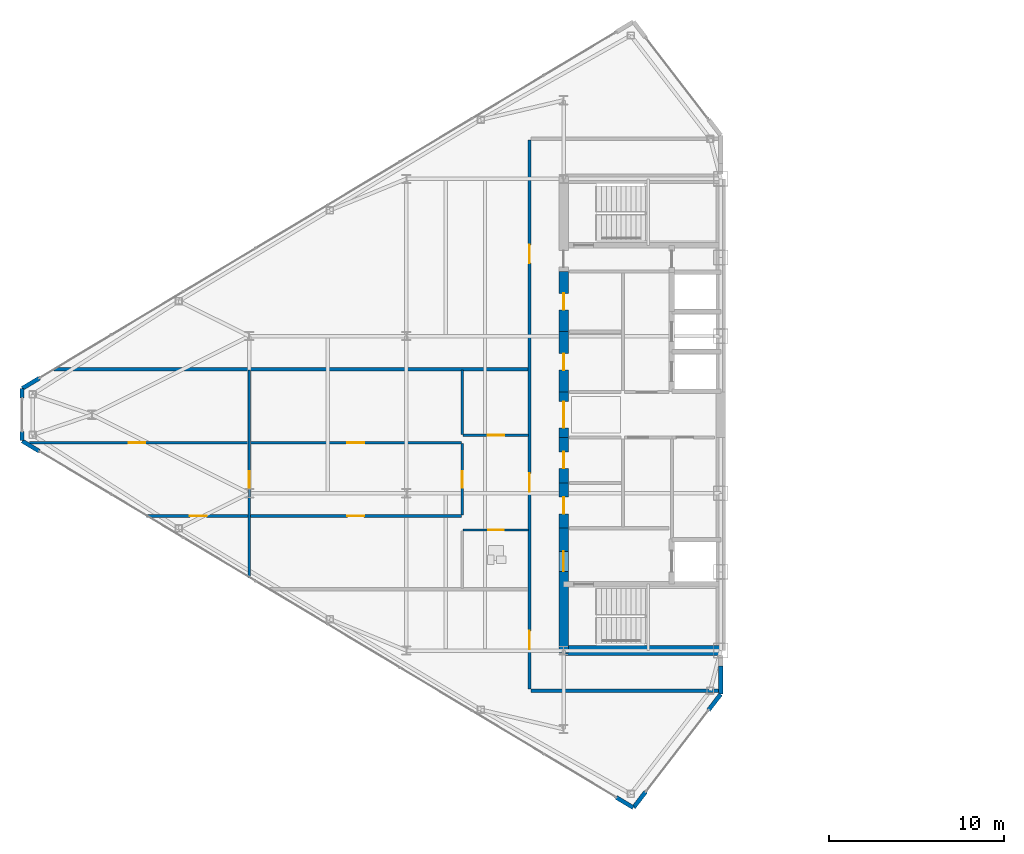
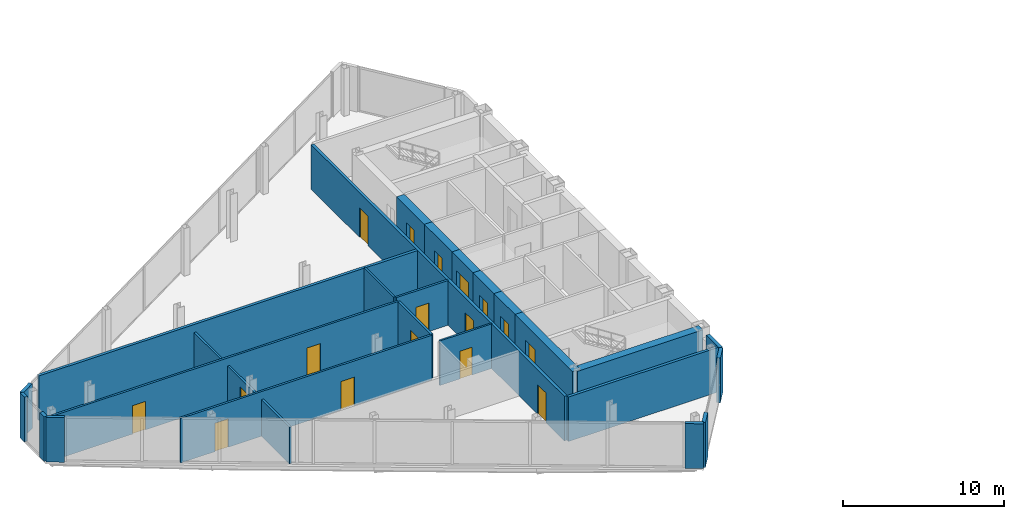
# One storey, part 19 of 25: 25 walls, 17 doors, 17 openings.
"""IFC4 building model written with IfcOpenShell, lengths in metres."""

from ifc_helpers import new_model, si_unit, direction, frame, frame_2d, origin, place, context, subcontext, project, spatial, rectangle, extrude, source, transform, mapped, material, layer, layer_set, type_object, type_shapes, element, fill, save


model = new_model("IFC4")

# Units and contexts
model_context = context("Model", 3, precision=1e-05, world=origin(), true_north=direction((0.0, 1.0)))
body_context = subcontext(model_context, "Body", "Model", "MODEL_VIEW")
ifc_project = project(units=[si_unit("LENGTHUNIT", "METRE"), si_unit("AREAUNIT", "SQUARE_METRE"), si_unit("VOLUMEUNIT", "CUBIC_METRE"), si_unit("PLANEANGLEUNIT", "RADIAN"), si_unit("MASSUNIT", "GRAM", prefix="KILO")], contexts=[model_context])

# Site, building, storey
site_placement = place(None, origin())
site = spatial("IfcSite", under=ifc_project, at=site_placement, CompositionType="ELEMENT")
building_placement = place(site_placement, origin())
building = spatial("IfcBuilding", under=site, at=building_placement, Name="Seokmaru Belvedere", CompositionType="ELEMENT")
storey_placement = place(building_placement, frame((0.0, 0.0, 206.699951171875)))
storey = spatial("IfcBuildingStorey", under=building, at=storey_placement, Name="L55", CompositionType="ELEMENT", Elevation=206.699951171875)

# Wall, openings, doors
ifc_material_1 = material(Name="Fire-Rated Gypsum Shaftwall")
ifc_layer_1 = layer(ifc_material_1, 0.14990234375)
ifc_layer_set_1 = layer_set([ifc_layer_1], Name="Fire-Rated Gypsum Shaftwall")
wall_type_1 = type_object("IfcWallType", Name="Apartment Fire-Acoustic Room Partition 150", PredefinedType="PARTITIONING", material=ifc_layer_set_1)
wall_1_placement = place(storey_placement, frame((-60.367919921875, -5.800048828125, 0.0), z_axis=(0.0, 0.0, 1.0), x_axis=(1.0, 0.0, 0.0)))
wall_1 = element("IfcWall", 1, at=wall_1_placement, inside=storey, type_object=wall_type_1, Name="L55 Interior Partition 007", PredefinedType="PARTITIONING", context=body_context, shape_type="SweptSolid", body=[
    extrude(rectangle(XDim=18.017822265625, YDim=0.14990234375, at=frame_2d((9.0087890625, 0.0))), origin(), (0.0, 0.0, 1.0), 3.380126953125),
])
opening_1_placement = place(wall_1_placement, frame((11.492919921875, 0.0, 0.0)))
opening_1 = element("IfcOpeningElement", 2, at=opening_1_placement, cuts=wall_1, Name="Opening D05", PredefinedType="OPENING", context=body_context, shape_type="SweptSolid", body=[
    extrude(rectangle(XDim=0.949951171875, YDim=2.14990234375, at=frame_2d((0.47509765625, 1.074951171875))), frame((0.0, 0.0849609375, 0.0), z_axis=(0.0, -1.0, 0.0), x_axis=(1.0, 0.0, 0.0)), (0.0, 0.0, 1.0), 0.169921875),
])
opening_2_placement = place(wall_1_placement, frame((2.476318359375, 0.0, 0.0)))
opening_2 = element("IfcOpeningElement", 3, at=opening_2_placement, cuts=wall_1, Name="Opening D05", PredefinedType="OPENING", context=body_context, shape_type="SweptSolid", body=[
    extrude(rectangle(XDim=0.949951171875, YDim=2.14990234375, at=frame_2d((0.47509765625, 1.074951171875))), frame((0.0, 0.0849609375, 0.0), z_axis=(0.0, -1.0, 0.0), x_axis=(1.0, 0.0, 0.0)), (0.0, 0.0, 1.0), 0.169921875),
])
ifc_material_2 = material(Name="Engineered White Oak Timber", Category="wood")
door_type_1 = type_object("IfcDoorType", Name="Apartment Interior Fire-Rated Oak Door 950x2150", OperationType="NOTDEFINED", PredefinedType="DOOR", material=ifc_material_2)
shared_shape_1 = source(origin(), body_context, "Body", "SweptSolid", [
    extrude(rectangle(XDim=0.949951171875, YDim=2.14990234375, at=frame_2d((0.47509765625, 1.074951171875))), frame((0.0, 0.02490234375, 0.0), z_axis=(0.0, -1.0, 0.0), x_axis=(1.0, 0.0, 0.0)), (0.0, 0.0, 1.0), 0.050048828125),
])
type_shapes(door_type_1, [shared_shape_1])
door_1_placement = place(opening_1_placement, origin())
door_1 = element("IfcDoor", 4, at=door_1_placement, inside=storey, type_object=door_type_1, Name="L55 Interior Door 007", OperationType="SINGLE_SWING_LEFT", OverallHeight=2.14990234375, OverallWidth=0.949951171875, PredefinedType="DOOR", context=body_context, shape_type="MappedRepresentation", body=[
    mapped(shared_shape_1, transform((0.0, 0.0, 0.0), scale=1.0)),
])
fill(opening_1, door_1)
door_2_placement = place(opening_2_placement, origin())
door_2 = element("IfcDoor", 5, at=door_2_placement, inside=storey, type_object=door_type_1, Name="L55 Interior Door 009", OperationType="SINGLE_SWING_RIGHT", OverallHeight=2.14990234375, OverallWidth=0.949951171875, PredefinedType="DOOR", context=body_context, shape_type="MappedRepresentation", body=[
    mapped(shared_shape_1, transform((0.0, 0.0, 0.0), scale=1.0)),
])
fill(opening_2, door_2)

wall_2_placement = place(storey_placement, frame((-67.09033203125, -1.60009765625, 0.0), z_axis=(0.0, 0.0, 1.0), x_axis=(1.0, 0.0, 0.0)))
wall_2 = element("IfcWall", 6, at=wall_2_placement, inside=storey, type_object=wall_type_1, Name="L55 Interior Partition 009", PredefinedType="PARTITIONING", context=body_context, shape_type="SweptSolid", body=[
    extrude(rectangle(XDim=24.740234375, YDim=0.14990234375, at=frame_2d((12.3701171875, 0.0))), origin(), (0.0, 0.0, 1.0), 3.380126953125),
])
opening_3_placement = place(wall_2_placement, frame((18.21533203125, 0.0, 0.0)))
opening_3 = element("IfcOpeningElement", 7, at=opening_3_placement, cuts=wall_2, Name="Opening D05", PredefinedType="OPENING", context=body_context, shape_type="SweptSolid", body=[
    extrude(rectangle(XDim=0.949951171875, YDim=2.14990234375, at=frame_2d((0.47509765625, 1.074951171875))), frame((0.0, 0.0849609375, 0.0), z_axis=(0.0, -1.0, 0.0), x_axis=(1.0, 0.0, 0.0)), (0.0, 0.0, 1.0), 0.169921875),
])
opening_4_placement = place(wall_2_placement, frame((5.698486328125, 0.0, 0.0)))
opening_4 = element("IfcOpeningElement", 8, at=opening_4_placement, cuts=wall_2, Name="Opening D05", PredefinedType="OPENING", context=body_context, shape_type="SweptSolid", body=[
    extrude(rectangle(XDim=0.949951171875, YDim=2.14990234375, at=frame_2d((0.47509765625, 1.074951171875))), frame((0.0, 0.0849609375, 0.0), z_axis=(0.0, -1.0, 0.0), x_axis=(1.0, 0.0, 0.0)), (0.0, 0.0, 1.0), 0.169921875),
])
door_3_placement = place(opening_3_placement, origin())
door_3 = element("IfcDoor", 9, at=door_3_placement, inside=storey, type_object=door_type_1, Name="L55 Interior Door 008", OperationType="SINGLE_SWING_RIGHT", OverallHeight=2.14990234375, OverallWidth=0.949951171875, PredefinedType="DOOR", context=body_context, shape_type="MappedRepresentation", body=[
    mapped(shared_shape_1, transform((0.0, 0.0, 0.0), scale=1.0)),
])
fill(opening_3, door_3)
door_4_placement = place(opening_4_placement, origin())
door_4 = element("IfcDoor", 10, at=door_4_placement, inside=storey, type_object=door_type_1, Name="L55 Interior Door 010", OperationType="SINGLE_SWING_RIGHT", OverallHeight=2.14990234375, OverallWidth=0.949951171875, PredefinedType="DOOR", context=body_context, shape_type="MappedRepresentation", body=[
    mapped(shared_shape_1, transform((0.0, 0.0, 0.0), scale=1.0)),
])
fill(opening_4, door_4)

# Wall, opening, door
wall_3_placement = place(storey_placement, frame((-42.25, -1.179931640625, 0.0), z_axis=(0.0, 0.0, 1.0), x_axis=(1.0, 0.0, 0.0)))
wall_3 = element("IfcWall", 11, at=wall_3_placement, inside=storey, type_object=wall_type_1, Name="L55 Interior Partition 010", PredefinedType="PARTITIONING", context=body_context, shape_type="SweptSolid", body=[
    extrude(rectangle(XDim=3.75, YDim=0.14990234375, at=frame_2d((1.875, 0.0))), origin(), (0.0, 0.0, 1.0), 3.380126953125),
])
opening_5_placement = place(wall_3_placement, frame((1.39990234375, 0.0, 0.0)))
opening_5 = element("IfcOpeningElement", 12, at=opening_5_placement, cuts=wall_3, Name="Opening D05", PredefinedType="OPENING", context=body_context, shape_type="SweptSolid", body=[
    extrude(rectangle(XDim=0.949951171875, YDim=2.14990234375, at=frame_2d((0.47509765625, 1.074951171875))), frame((0.0, 0.0849609375, 0.0), z_axis=(0.0, -1.0, 0.0), x_axis=(1.0, 0.0, 0.0)), (0.0, 0.0, 1.0), 0.169921875),
])
door_5_placement = place(opening_5_placement, origin())
door_5 = element("IfcDoor", 13, at=door_5_placement, inside=storey, type_object=door_type_1, Name="L55 Interior Door 004", OperationType="SINGLE_SWING_LEFT", OverallHeight=2.14990234375, OverallWidth=0.949951171875, PredefinedType="DOOR", context=body_context, shape_type="MappedRepresentation", body=[
    mapped(shared_shape_1, transform((0.0, 0.0, 0.0), scale=1.0)),
])
fill(opening_5, door_5)

wall_4_placement = place(storey_placement, frame((-54.5, -9.3349609375, 0.0), z_axis=(0.0, 0.0, 1.0), x_axis=(0.0, 1.0, 0.0)))
wall_4 = element("IfcWall", 14, at=wall_4_placement, inside=storey, type_object=wall_type_1, Name="L55 Interior Partition 017", PredefinedType="PARTITIONING", context=body_context, shape_type="SweptSolid", body=[
    extrude(rectangle(XDim=11.885009765625, YDim=0.14990234375, at=frame_2d((5.9423828125, 0.0))), origin(), (0.0, 0.0, 1.0), 2.780029296875),
])
opening_6_placement = place(wall_4_placement, frame((5.159912109375, 0.0, 0.0)))
opening_6 = element("IfcOpeningElement", 15, at=opening_6_placement, cuts=wall_4, Name="Opening D05", PredefinedType="OPENING", context=body_context, shape_type="SweptSolid", body=[
    extrude(rectangle(XDim=0.949951171875, YDim=2.14990234375, at=frame_2d((0.47509765625, 1.074951171875))), frame((0.0, 0.0849609375, 0.0), z_axis=(0.0, -1.0, 0.0), x_axis=(1.0, 0.0, 0.0)), (0.0, 0.0, 1.0), 0.169921875),
])
door_6_placement = place(opening_6_placement, origin())
door_6 = element("IfcDoor", 16, at=door_6_placement, inside=storey, type_object=door_type_1, Name="L55 Interior Door 006", OperationType="SINGLE_SWING_LEFT", OverallHeight=2.14990234375, OverallWidth=0.949951171875, PredefinedType="DOOR", context=body_context, shape_type="MappedRepresentation", body=[
    mapped(shared_shape_1, transform((0.0, 0.0, 0.0), scale=1.0)),
])
fill(opening_6, door_6)

wall_5_placement = place(storey_placement, frame((-42.300048828125, -5.75, 0.0), z_axis=(0.0, 0.0, 1.0), x_axis=(0.0, 1.0, 0.0)))
wall_5 = element("IfcWall", 17, at=wall_5_placement, inside=storey, type_object=wall_type_1, Name="L55 Interior Partition 019", PredefinedType="PARTITIONING", context=body_context, shape_type="SweptSolid", body=[
    extrude(rectangle(XDim=4.10009765625, YDim=0.14990234375, at=frame_2d((2.050048828125, 0.0))), origin(), (0.0, 0.0, 1.0), 3.380126953125),
])
opening_7_placement = place(wall_5_placement, frame((1.574951171875, 0.0, 0.0)))
opening_7 = element("IfcOpeningElement", 18, at=opening_7_placement, cuts=wall_5, Name="Opening D05", PredefinedType="OPENING", context=body_context, shape_type="SweptSolid", body=[
    extrude(rectangle(XDim=0.949951171875, YDim=2.14990234375, at=frame_2d((0.47509765625, 1.074951171875))), frame((0.0, 0.0849609375, 0.0), z_axis=(0.0, -1.0, 0.0), x_axis=(1.0, 0.0, 0.0)), (0.0, 0.0, 1.0), 0.169921875),
])
door_7_placement = place(opening_7_placement, origin())
door_7 = element("IfcDoor", 19, at=door_7_placement, inside=storey, type_object=door_type_1, Name="L55 Interior Door 005", OperationType="SINGLE_SWING_RIGHT", OverallHeight=2.14990234375, OverallWidth=0.949951171875, PredefinedType="DOOR", context=body_context, shape_type="MappedRepresentation", body=[
    mapped(shared_shape_1, transform((0.0, 0.0, 0.0), scale=1.0)),
])
fill(opening_7, door_7)

# Walls
wall_6_placement = place(storey_placement, frame((-42.300048828125, -1.1279296875, 0.0), z_axis=(0.0, 0.0, 1.0), x_axis=(0.0, 1.0, 0.0)))
element("IfcWall", 20, at=wall_6_placement, inside=storey, type_object=wall_type_1, Name="L55 Interior Partition 020", PredefinedType="PARTITIONING", context=body_context, shape_type="SweptSolid", body=[
    extrude(rectangle(XDim=3.677978515625, YDim=0.14990234375, at=frame_2d((1.8388671875, 0.0))), origin(), (0.0, 0.0, 1.0), 3.380126953125),
])
ifc_layer_2 = layer(ifc_material_1, 0.199951171875)
ifc_layer_set_2 = layer_set([ifc_layer_2], Name="Fire-Rated Gypsum Shaftwall")
wall_type_2 = type_object("IfcWallType", Name="Inter-Tenancy Fire Compartment Partition 200", PredefinedType="PARTITIONING", material=ifc_layer_set_2)
wall_7_placement = place(storey_placement, frame((-38.364990234375, -15.800048828125, 0.0), z_axis=(0.0, 0.0, 1.0), x_axis=(1.0, 0.0, 0.0)))
element("IfcWall", 21, at=wall_7_placement, inside=storey, type_object=wall_type_2, Name="L55 Interior Partition 001", PredefinedType="PARTITIONING", context=body_context, shape_type="SweptSolid", body=[
    extrude(rectangle(XDim=10.739990234375, YDim=0.199951171875, at=frame_2d((5.3701171875, 0.0))), origin(), (0.0, 0.0, 1.0), 3.380126953125),
])
wall_8_placement = place(storey_placement, frame((-65.676025390625, 2.60009765625, 0.0), z_axis=(0.0, 0.0, 1.0), x_axis=(1.0, 0.0, 0.0)))
element("IfcWall", 22, at=wall_8_placement, inside=storey, type_object=wall_type_2, Name="L55 Interior Partition 013", PredefinedType="PARTITIONING", context=body_context, shape_type="SweptSolid", body=[
    extrude(rectangle(XDim=27.14599609375, YDim=0.199951171875, at=frame_2d((13.572998046875, 0.0))), origin(), (0.0, 0.0, 1.0), 3.380126953125),
])

# Wall, openings, doors
wall_9_placement = place(storey_placement, frame((-38.449951171875, -15.715087890625, 0.0), z_axis=(0.0, 0.0, 1.0), x_axis=(0.0, 1.0, 0.0)))
wall_9 = element("IfcWall", 23, at=wall_9_placement, inside=storey, type_object=wall_type_2, Name="L55 Interior Partition 021", PredefinedType="PARTITIONING", context=body_context, shape_type="SweptSolid", body=[
    extrude(rectangle(XDim=31.43017578125, YDim=0.199951171875, at=frame_2d((15.715087890625, 0.0))), origin(), (0.0, 0.0, 1.0), 3.380126953125),
])
opening_8_placement = place(wall_9_placement, frame((2.2900390625, 0.0, 0.0)))
opening_8 = element("IfcOpeningElement", 24, at=opening_8_placement, cuts=wall_9, Name="Opening D03", PredefinedType="OPENING", context=body_context, shape_type="SweptSolid", body=[
    extrude(rectangle(XDim=1.050048828125, YDim=2.25, at=frame_2d((0.52490234375, 1.125))), frame((0.0, 0.10986328125, 0.0), z_axis=(0.0, -1.0, 0.0), x_axis=(1.0, 0.0, 0.0)), (0.0, 0.0, 1.0), 0.219970703125),
])
opening_9_placement = place(wall_9_placement, frame((11.301025390625, 0.0, 0.0)))
opening_9 = element("IfcOpeningElement", 25, at=opening_9_placement, cuts=wall_9, Name="Opening D03", PredefinedType="OPENING", context=body_context, shape_type="SweptSolid", body=[
    extrude(rectangle(XDim=1.050048828125, YDim=2.25, at=frame_2d((0.52490234375, 1.125))), frame((0.0, 0.10986328125, 0.0), z_axis=(0.0, -1.0, 0.0), x_axis=(1.0, 0.0, 0.0)), (0.0, 0.0, 1.0), 0.219970703125),
])
opening_10_placement = place(wall_9_placement, frame((24.389892578125, 0.0, 0.0)))
opening_10 = element("IfcOpeningElement", 26, at=opening_10_placement, cuts=wall_9, Name="Opening D03", PredefinedType="OPENING", context=body_context, shape_type="SweptSolid", body=[
    extrude(rectangle(XDim=1.050048828125, YDim=2.25, at=frame_2d((0.52490234375, 1.125))), frame((0.0, 0.10986328125, 0.0), z_axis=(0.0, -1.0, 0.0), x_axis=(1.0, 0.0, 0.0)), (0.0, 0.0, 1.0), 0.219970703125),
])
ifc_material_3 = material(Name="Fire-Rated Steel Leaf", Category="steel")
door_type_2 = type_object("IfcDoorType", Name="Apartment Entrance Fire Door 1050x2250", OperationType="NOTDEFINED", PredefinedType="DOOR", material=ifc_material_3)
shared_shape_2 = source(origin(), body_context, "Body", "SweptSolid", [
    extrude(rectangle(XDim=1.050048828125, YDim=2.25, at=frame_2d((0.52490234375, 1.125))), frame((0.0, 0.02490234375, 0.0), z_axis=(0.0, -1.0, 0.0), x_axis=(1.0, 0.0, 0.0)), (0.0, 0.0, 1.0), 0.050048828125),
])
type_shapes(door_type_2, [shared_shape_2])
door_8_placement = place(opening_8_placement, origin())
door_8 = element("IfcDoor", 27, at=door_8_placement, inside=storey, type_object=door_type_2, Name="L55 Interior Door 001", OperationType="SINGLE_SWING_RIGHT", OverallHeight=2.25, OverallWidth=1.050048828125, PredefinedType="DOOR", context=body_context, shape_type="MappedRepresentation", body=[
    mapped(shared_shape_2, transform((0.0, 0.0, 0.0), scale=1.0)),
])
fill(opening_8, door_8)
door_9_placement = place(opening_9_placement, origin())
door_9 = element("IfcDoor", 28, at=door_9_placement, inside=storey, type_object=door_type_2, Name="L55 Interior Door 002", OperationType="SINGLE_SWING_LEFT", OverallHeight=2.25, OverallWidth=1.050048828125, PredefinedType="DOOR", context=body_context, shape_type="MappedRepresentation", body=[
    mapped(shared_shape_2, transform((0.0, 0.0, 0.0), scale=1.0)),
])
fill(opening_9, door_9)
door_10_placement = place(opening_10_placement, origin())
door_10 = element("IfcDoor", 29, at=door_10_placement, inside=storey, type_object=door_type_2, Name="L55 Interior Door 011", OperationType="SINGLE_SWING_RIGHT", OverallHeight=2.25, OverallWidth=1.050048828125, PredefinedType="DOOR", context=body_context, shape_type="MappedRepresentation", body=[
    mapped(shared_shape_2, transform((0.0, 0.0, 0.0), scale=1.0)),
])
fill(opening_10, door_10)

# Wall
ifc_material_4 = material(Name="Concrete C50 (50 MPa)", Category="concrete")
ifc_layer_3 = layer(ifc_material_4, 0.550048828125)
ifc_layer_set_3 = layer_set([ifc_layer_3], Name="Concrete C50 (50 MPa)")
wall_type_3 = type_object("IfcWallType", Name="Mid-High Reinforced Concrete Core Wall 550", PredefinedType="SHEAR", material=ifc_layer_set_3)
wall_10_placement = place(storey_placement, frame((-36.5, -13.5, 0.0), z_axis=(0.0, 0.0, 1.0), x_axis=(1.0, 0.0, 0.0)))
element("IfcWall", 30, at=wall_10_placement, inside=storey, type_object=wall_type_3, Name="L55 West South Core Wall", PredefinedType="SHEAR", context=body_context, shape_type="SweptSolid", body=[
    extrude(rectangle(XDim=9.0, YDim=0.550048828125, at=frame_2d((4.5, 0.0))), origin(), (0.0, 0.0, 1.0), 3.380126953125),
])

# Wall, opening, door
wall_11_placement = place(storey_placement, frame((-36.5, -13.64990234375, 0.0), z_axis=(0.0, 0.0, 1.0), x_axis=(0.0, 1.0, 0.0)))
wall_11 = element("IfcWall", 31, at=wall_11_placement, inside=storey, type_object=wall_type_3, Name="L55 West West Core Wall FF", PredefinedType="SHEAR", context=body_context, shape_type="SweptSolid", body=[
    extrude(rectangle(XDim=7.14990234375, YDim=0.550048828125, at=frame_2d((3.574951171875, 0.0))), origin(), (0.0, 0.0, 1.0), 3.380126953125),
])
opening_11_placement = place(wall_11_placement, frame((4.675048828125, 0.0, 0.0)))
opening_11 = element("IfcOpeningElement", 32, at=opening_11_placement, cuts=wall_11, Name="Opening D02", PredefinedType="OPENING", context=body_context, shape_type="SweptSolid", body=[
    extrude(rectangle(XDim=1.14990234375, YDim=2.199951171875, at=frame_2d((0.574951171875, 1.10009765625))), frame((0.0, 0.28515625, 0.0), z_axis=(0.0, -1.0, 0.0), x_axis=(1.0, 0.0, 0.0)), (0.0, 0.0, 1.0), 0.570068359375),
])
door_type_3 = type_object("IfcDoorType", Name="Lobby and Vestibule Fire Door 1150x2200", OperationType="NOTDEFINED", PredefinedType="DOOR", material=ifc_material_3)
shared_shape_3 = source(origin(), body_context, "Body", "SweptSolid", [
    extrude(rectangle(XDim=1.14990234375, YDim=2.199951171875, at=frame_2d((0.574951171875, 1.10009765625))), frame((0.0, 0.02490234375, 0.0), z_axis=(0.0, -1.0, 0.0), x_axis=(1.0, 0.0, 0.0)), (0.0, 0.0, 1.0), 0.050048828125),
])
type_shapes(door_type_3, [shared_shape_3])
door_11_placement = place(opening_11_placement, frame((1.14990234375, 0.0, 0.0), z_axis=(0.0, 0.0, 1.0), x_axis=(-1.0, 0.0, 0.0)))
door_11 = element("IfcDoor", 33, at=door_11_placement, inside=storey, type_object=door_type_3, Name="L55 West Firefighting Lobby Door", OperationType="SINGLE_SWING_LEFT", OverallHeight=2.199951171875, OverallWidth=1.14990234375, PredefinedType="DOOR", context=body_context, shape_type="MappedRepresentation", body=[
    mapped(shared_shape_3, transform((0.0, 0.0, 0.0), scale=1.0)),
])
fill(opening_11, door_11)

wall_12_placement = place(storey_placement, frame((-36.5, -1.300048828125, 0.0), z_axis=(0.0, 0.0, 1.0), x_axis=(0.0, 1.0, 0.0)))
wall_12 = element("IfcWall", 34, at=wall_12_placement, inside=storey, type_object=wall_type_3, Name="L55 West West Core Wall FOY", PredefinedType="SHEAR", context=body_context, shape_type="SweptSolid", body=[
    extrude(rectangle(XDim=2.60009765625, YDim=0.550048828125, at=frame_2d((1.300048828125, 0.0))), origin(), (0.0, 0.0, 1.0), 3.380126953125),
])
opening_12_placement = place(wall_12_placement, frame((0.550048828125, 0.0, 0.0)))
opening_12 = element("IfcOpeningElement", 35, at=opening_12_placement, cuts=wall_12, Name="Opening D08", PredefinedType="OPENING", context=body_context, shape_type="SweptSolid", body=[
    extrude(rectangle(XDim=1.5, YDim=2.300048828125, at=frame_2d((0.75, 1.14990234375))), frame((0.0, 0.28515625, 0.0), z_axis=(0.0, -1.0, 0.0), x_axis=(1.0, 0.0, 0.0)), (0.0, 0.0, 1.0), 0.570068359375),
])
door_type_4 = type_object("IfcDoorType", Name="Cross-Corridor Compartment Double Fire Door 1500x2300", OperationType="DOUBLE_SWING_LEFT", PredefinedType="DOOR", material=ifc_material_3)
shared_shape_4 = source(origin(), body_context, "Body", "SweptSolid", [
    extrude(rectangle(XDim=1.5, YDim=2.300048828125, at=frame_2d((0.75, 1.14990234375))), frame((0.0, 0.02490234375, 0.0), z_axis=(0.0, -1.0, 0.0), x_axis=(1.0, 0.0, 0.0)), (0.0, 0.0, 1.0), 0.050048828125),
])
type_shapes(door_type_4, [shared_shape_4])
door_12_placement = place(opening_12_placement, origin())
door_12 = element("IfcDoor", 36, at=door_12_placement, inside=storey, type_object=door_type_4, Name="L55 West Core Foyer Compartment Door", OperationType="DOUBLE_SWING_LEFT", OverallHeight=2.300048828125, OverallWidth=1.5, PredefinedType="DOOR", context=body_context, shape_type="MappedRepresentation", body=[
    mapped(shared_shape_4, transform((0.0, 0.0, 0.0), scale=1.0)),
])
fill(opening_12, door_12)

wall_13_placement = place(storey_placement, frame((-36.5, -6.5, 0.0), z_axis=(0.0, 0.0, 1.0), x_axis=(0.0, 1.0, 0.0)))
wall_13 = element("IfcWall", 37, at=wall_13_placement, inside=storey, type_object=wall_type_3, Name="L55 West West Core Wall CS1", PredefinedType="SHEAR", context=body_context, shape_type="SweptSolid", body=[
    extrude(rectangle(XDim=2.60009765625, YDim=0.550048828125, at=frame_2d((1.300048828125, 0.0))), origin(), (0.0, 0.0, 1.0), 3.380126953125),
])
opening_13_placement = place(wall_13_placement, frame((0.824951171875, 0.0, 0.0)))
opening_13 = element("IfcOpeningElement", 38, at=opening_13_placement, cuts=wall_13, Name="Opening D04", PredefinedType="OPENING", context=body_context, shape_type="SweptSolid", body=[
    extrude(rectangle(XDim=0.949951171875, YDim=2.14990234375, at=frame_2d((0.47509765625, 1.074951171875))), frame((0.0, 0.28515625, 0.0), z_axis=(0.0, -1.0, 0.0), x_axis=(1.0, 0.0, 0.0)), (0.0, 0.0, 1.0), 0.570068359375),
])
door_type_5 = type_object("IfcDoorType", Name="Core Service Room Fire Door 950x2150", OperationType="NOTDEFINED", PredefinedType="DOOR", material=ifc_material_3)
shared_shape_5 = source(origin(), body_context, "Body", "SweptSolid", [
    extrude(rectangle(XDim=0.949951171875, YDim=2.14990234375, at=frame_2d((0.47509765625, 1.074951171875))), frame((0.0, 0.02490234375, 0.0), z_axis=(0.0, -1.0, 0.0), x_axis=(1.0, 0.0, 0.0)), (0.0, 0.0, 1.0), 0.050048828125),
])
type_shapes(door_type_5, [shared_shape_5])
door_13_placement = place(opening_13_placement, origin())
door_13 = element("IfcDoor", 39, at=door_13_placement, inside=storey, type_object=door_type_5, Name="L55 West Core Service Room Door 1", OperationType="SINGLE_SWING_LEFT", OverallHeight=2.14990234375, OverallWidth=0.949951171875, PredefinedType="DOOR", context=body_context, shape_type="MappedRepresentation", body=[
    mapped(shared_shape_5, transform((0.0, 0.0, 0.0), scale=1.0)),
])
fill(opening_13, door_13)

wall_14_placement = place(storey_placement, frame((-36.5, -3.89990234375, 0.0), z_axis=(0.0, 0.0, 1.0), x_axis=(0.0, 1.0, 0.0)))
wall_14 = element("IfcWall", 40, at=wall_14_placement, inside=storey, type_object=wall_type_3, Name="L55 West West Core Wall CS2", PredefinedType="SHEAR", context=body_context, shape_type="SweptSolid", body=[
    extrude(rectangle(XDim=2.599853515625, YDim=0.550048828125, at=frame_2d((1.2998046875, 0.0))), origin(), (0.0, 0.0, 1.0), 3.380126953125),
])
opening_14_placement = place(wall_14_placement, frame((0.824951171875, 0.0, 0.0)))
opening_14 = element("IfcOpeningElement", 41, at=opening_14_placement, cuts=wall_14, Name="Opening D04", PredefinedType="OPENING", context=body_context, shape_type="SweptSolid", body=[
    extrude(rectangle(XDim=0.949951171875, YDim=2.14990234375, at=frame_2d((0.47509765625, 1.074951171875))), frame((0.0, 0.28515625, 0.0), z_axis=(0.0, -1.0, 0.0), x_axis=(1.0, 0.0, 0.0)), (0.0, 0.0, 1.0), 0.570068359375),
])
door_14_placement = place(opening_14_placement, origin())
door_14 = element("IfcDoor", 42, at=door_14_placement, inside=storey, type_object=door_type_5, Name="L55 West Core Service Room Door 2", OperationType="SINGLE_SWING_RIGHT", OverallHeight=2.14990234375, OverallWidth=0.949951171875, PredefinedType="DOOR", context=body_context, shape_type="MappedRepresentation", body=[
    mapped(shared_shape_5, transform((0.0, 0.0, 0.0), scale=1.0)),
])
fill(opening_14, door_14)

wall_15_placement = place(storey_placement, frame((-36.5, 1.300048828125, 0.0), z_axis=(0.0, 0.0, 1.0), x_axis=(0.0, 1.0, 0.0)))
wall_15 = element("IfcWall", 43, at=wall_15_placement, inside=storey, type_object=wall_type_3, Name="L55 West West Core Wall CS3", PredefinedType="SHEAR", context=body_context, shape_type="SweptSolid", body=[
    extrude(rectangle(XDim=3.449951171875, YDim=0.550048828125, at=frame_2d((1.72509765625, 0.0))), origin(), (0.0, 0.0, 1.0), 3.380126953125),
])
opening_15_placement = place(wall_15_placement, frame((1.25, 0.0, 0.0)))
opening_15 = element("IfcOpeningElement", 44, at=opening_15_placement, cuts=wall_15, Name="Opening D04", PredefinedType="OPENING", context=body_context, shape_type="SweptSolid", body=[
    extrude(rectangle(XDim=0.949951171875, YDim=2.14990234375, at=frame_2d((0.47509765625, 1.074951171875))), frame((0.0, 0.28515625, 0.0), z_axis=(0.0, -1.0, 0.0), x_axis=(1.0, 0.0, 0.0)), (0.0, 0.0, 1.0), 0.570068359375),
])
door_15_placement = place(opening_15_placement, origin())
door_15 = element("IfcDoor", 45, at=door_15_placement, inside=storey, type_object=door_type_5, Name="L55 West Core Service Room Door 3", OperationType="SINGLE_SWING_LEFT", OverallHeight=2.14990234375, OverallWidth=0.949951171875, PredefinedType="DOOR", context=body_context, shape_type="MappedRepresentation", body=[
    mapped(shared_shape_5, transform((0.0, 0.0, 0.0), scale=1.0)),
])
fill(opening_15, door_15)

wall_16_placement = place(storey_placement, frame((-36.5, 4.75, 0.0), z_axis=(0.0, 0.0, 1.0), x_axis=(0.0, 1.0, 0.0)))
wall_16 = element("IfcWall", 46, at=wall_16_placement, inside=storey, type_object=wall_type_3, Name="L55 West West Core Wall CS4", PredefinedType="SHEAR", context=body_context, shape_type="SweptSolid", body=[
    extrude(rectangle(XDim=3.449951171875, YDim=0.550048828125, at=frame_2d((1.72509765625, 0.0))), origin(), (0.0, 0.0, 1.0), 3.380126953125),
])
opening_16_placement = place(wall_16_placement, frame((1.25, 0.0, 0.0)))
opening_16 = element("IfcOpeningElement", 47, at=opening_16_placement, cuts=wall_16, Name="Opening D04", PredefinedType="OPENING", context=body_context, shape_type="SweptSolid", body=[
    extrude(rectangle(XDim=0.949951171875, YDim=2.14990234375, at=frame_2d((0.47509765625, 1.074951171875))), frame((0.0, 0.28515625, 0.0), z_axis=(0.0, -1.0, 0.0), x_axis=(1.0, 0.0, 0.0)), (0.0, 0.0, 1.0), 0.570068359375),
])
door_16_placement = place(opening_16_placement, origin())
door_16 = element("IfcDoor", 48, at=door_16_placement, inside=storey, type_object=door_type_5, Name="L55 West Core Service Room Door 4", OperationType="SINGLE_SWING_RIGHT", OverallHeight=2.14990234375, OverallWidth=0.949951171875, PredefinedType="DOOR", context=body_context, shape_type="MappedRepresentation", body=[
    mapped(shared_shape_5, transform((0.0, 0.0, 0.0), scale=1.0)),
])
fill(opening_16, door_16)

ifc_layer_4 = layer(ifc_material_1, 0.1298828125)
ifc_layer_set_4 = layer_set([ifc_layer_4], Name="Fire-Rated Gypsum Shaftwall")
wall_type_4 = type_object("IfcWallType", Name="Moisture-Resistant Fire-Rated Bathroom Partition 130", PredefinedType="PARTITIONING", material=ifc_layer_set_4)
wall_17_placement = place(storey_placement, frame((-42.25, -6.60009765625, 0.0), z_axis=(0.0, 0.0, 1.0), x_axis=(1.0, 0.0, 0.0)))
wall_17 = element("IfcWall", 49, at=wall_17_placement, inside=storey, type_object=wall_type_4, Name="L55 Interior Partition 005", PredefinedType="PARTITIONING", context=body_context, shape_type="SweptSolid", body=[
    extrude(rectangle(XDim=3.75, YDim=0.1298828125, at=frame_2d((1.875, 0.0))), origin(), (0.0, 0.0, 1.0), 3.380126953125),
])
opening_17_placement = place(wall_17_placement, frame((1.43505859375, 0.0, 0.0)))
opening_17 = element("IfcOpeningElement", 50, at=opening_17_placement, cuts=wall_17, Name="Opening D06", PredefinedType="OPENING", context=body_context, shape_type="SweptSolid", body=[
    extrude(rectangle(XDim=0.8798828125, YDim=2.10009765625, at=frame_2d((0.43994140625, 1.050048828125))), frame((0.0, 0.074951171875, 0.0), z_axis=(0.0, -1.0, 0.0), x_axis=(1.0, 0.0, 0.0)), (0.0, 0.0, 1.0), 0.14990234375),
])
door_type_6 = type_object("IfcDoorType", Name="Bathroom and Restroom Fire-Rated Door 880x2100", OperationType="NOTDEFINED", PredefinedType="DOOR", material=ifc_material_2)
shared_shape_6 = source(origin(), body_context, "Body", "SweptSolid", [
    extrude(rectangle(XDim=0.8798828125, YDim=2.10009765625, at=frame_2d((0.43994140625, 1.050048828125))), frame((0.0, 0.02490234375, 0.0), z_axis=(0.0, -1.0, 0.0), x_axis=(1.0, 0.0, 0.0)), (0.0, 0.0, 1.0), 0.050048828125),
])
type_shapes(door_type_6, [shared_shape_6])
door_17_placement = place(opening_17_placement, origin())
door_17 = element("IfcDoor", 51, at=door_17_placement, inside=storey, type_object=door_type_6, Name="L55 Interior Door 003", OperationType="SINGLE_SWING_LEFT", OverallHeight=2.10009765625, OverallWidth=0.8798828125, PredefinedType="DOOR", context=body_context, shape_type="MappedRepresentation", body=[
    mapped(shared_shape_6, transform((0.0, 0.0, 0.0), scale=1.0)),
])
fill(opening_17, door_17)

# Walls
ifc_material_5 = material(Name="Anodised Bronze Aluminium", Category="aluminium")
ifc_layer_5 = layer(ifc_material_5, 0.239990234375)
ifc_layer_set_5 = layer_set([ifc_layer_5], Name="Anodised Bronze Aluminium")
wall_type_5 = type_object("IfcWallType", Name="Tower Corner Spandrel Closure Wall 240", PredefinedType="SOLIDWALL", material=ifc_layer_set_5)
wall_18_placement = place(storey_placement, frame((-27.5, -15.97998046875, 0.0), z_axis=(0.0, 0.0, 1.0), x_axis=(0.0, 1.0, 0.0)))
element("IfcWall", 52, at=wall_18_placement, inside=storey, type_object=wall_type_5, Name="L55 W Shoulder Closure Wall 1", PredefinedType="SOLIDWALL", context=body_context, shape_type="SweptSolid", body=[
    extrude(rectangle(XDim=1.60009765625, YDim=0.239990234375, at=frame_2d((0.800048828125, 0.0))), origin(), (0.0, 0.0, 1.0), 3.380126953125),
])
wall_19_placement = place(storey_placement, frame((-66.513916015625, 2.091796875, 0.0), z_axis=(0.0, 0.0, 1.0), x_axis=(-0.85743623509, -0.514590228002, 0.0)))
element("IfcWall", 53, at=wall_19_placement, inside=storey, type_object=wall_type_5, Name="L55 W Corner Closure Pier 3B", PredefinedType="SOLIDWALL", context=body_context, shape_type="SweptSolid", body=[
    extrude(rectangle(XDim=1.14013671875, YDim=0.239990234375, at=frame_2d((0.570068359375, 0.0))), origin(), (0.0, 0.0, 1.0), 3.380126953125),
])
for number, where, z_axis, x_axis, name in (
    (54, (-67.5, 1.489990234375, 0.0), (0.0, 0.0, 1.0), (0.0, -1.0, 0.0), "L55 W Apex Closure Pier 4A"),
    (55, (-67.5, -0.949951171875, 0.0), (0.0, 0.0, 1.0), (0.0, -1.0, 0.0), "L55 W Apex Closure Pier 4B"),
):
    element("IfcWall", number, at=place(storey_placement, frame(where, z_axis=z_axis, x_axis=x_axis)), inside=storey, type_object=wall_type_5, Name=name, PredefinedType="SOLIDWALL", context=body_context, shape_type="SweptSolid", body=[
        extrude(rectangle(XDim=0.5400390625, YDim=0.239990234375, at=frame_2d((0.27001953125, 0.0))), origin(), (0.0, 0.0, 1.0), 3.380126953125),
    ])
for number, where, z_axis, x_axis, name in (
    (56, (-67.491455078125, -1.505126953125, 0.0), (0.0, 0.0, 1.0), (0.85743623509, -0.514590228002, 0.0), "L55 W Corner Closure Pier 5A"),
    (57, (-33.486083984375, -21.908203125, 0.0), (0.0, 0.0, 1.0), (0.85743623509, -0.514590228002, 0.0), "L55 W Corner Closure Pier 5B"),
    (58, (-32.493896484375, -22.4921875, 0.0), (0.0, 0.0, 1.0), (0.609617623633, 0.792695624408, 0.0), "L55 W Corner Closure Pier 6A"),
    (59, (-28.201171875, -16.91162109375, 0.0), (0.0, 0.0, 1.0), (0.609617623633, 0.792695624408, 0.0), "L55 W Corner Closure Pier 6B"),
):
    element("IfcWall", number, at=place(storey_placement, frame(where, z_axis=z_axis, x_axis=x_axis)), inside=storey, type_object=wall_type_5, Name=name, PredefinedType="SOLIDWALL", context=body_context, shape_type="SweptSolid", body=[
        extrude(rectangle(XDim=1.14013671875, YDim=0.239990234375, at=frame_2d((0.570068359375, 0.0))), origin(), (0.0, 0.0, 1.0), 3.380126953125),
    ])

save(model, "model.ifc")
